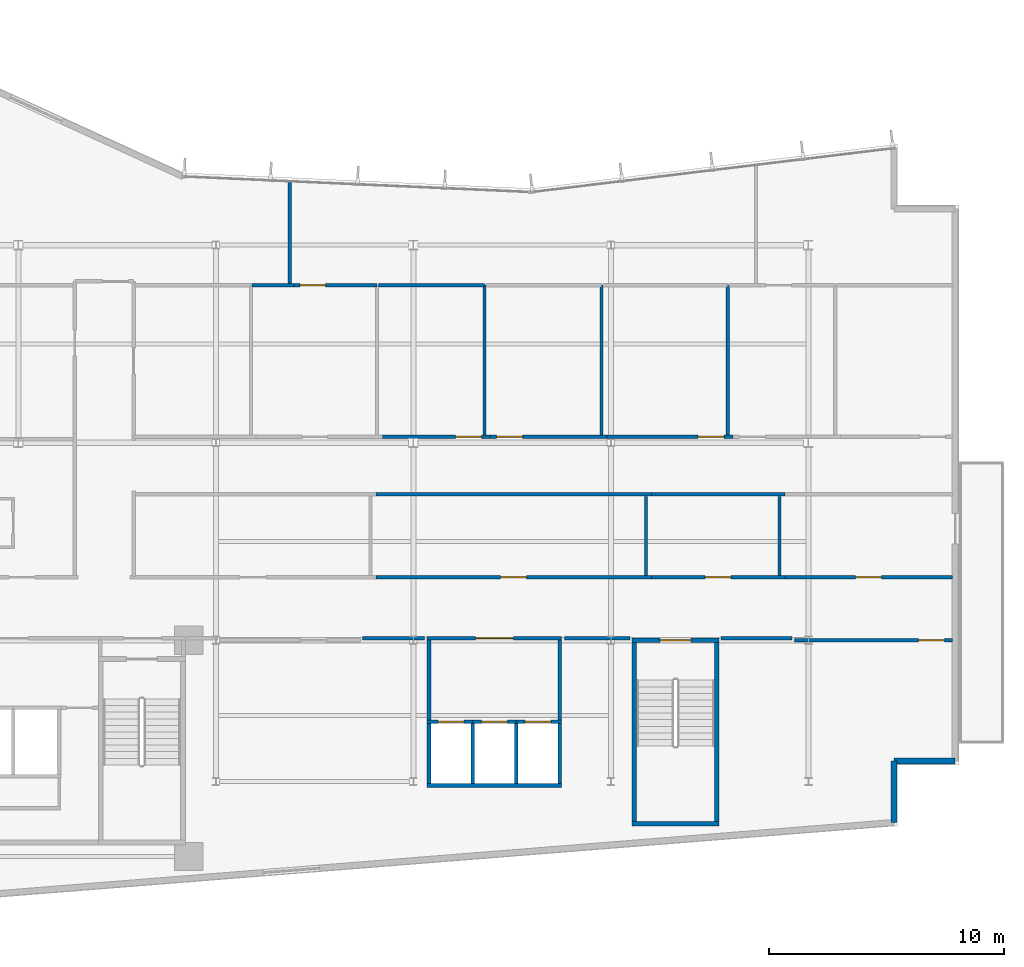
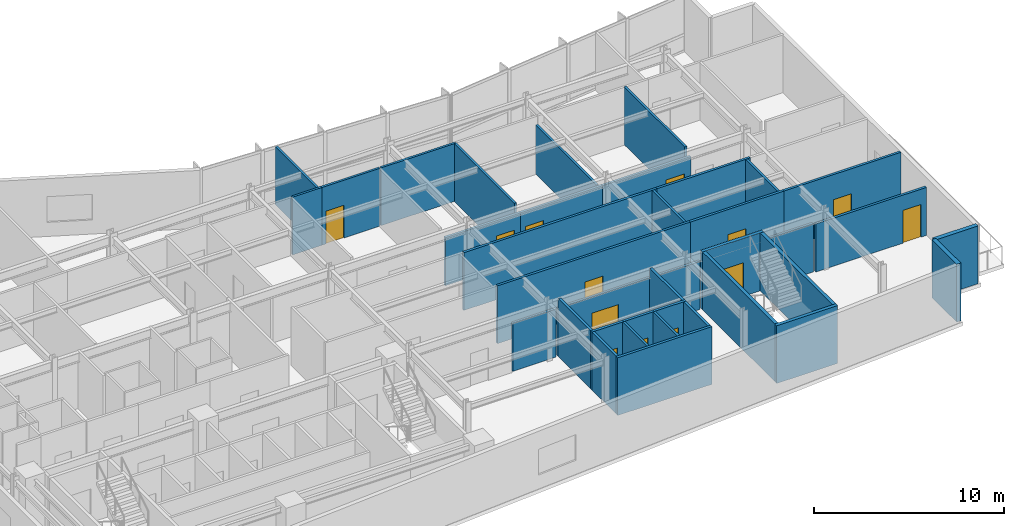
# One storey, part 11 of 17: 38 walls, 13 doors, 13 openings.
"""IFC4 building model written with IfcOpenShell, lengths in metres."""

from ifc_helpers import new_model, si_unit, direction, frame, frame_2d, origin, place, context, subcontext, project, spatial, rectangle, extrude, material, layer, layer_set, type_object, element, fill, save


model = new_model("IFC4")

# Units and contexts
model_context = context("Model", 3, precision=1e-05, world=origin(), true_north=direction((0.0, 1.0)))
body_context = subcontext(model_context, "Body", "Model", "MODEL_VIEW")
ifc_project = project(units=[si_unit("LENGTHUNIT", "METRE"), si_unit("AREAUNIT", "SQUARE_METRE"), si_unit("VOLUMEUNIT", "CUBIC_METRE"), si_unit("PLANEANGLEUNIT", "RADIAN"), si_unit("MASSUNIT", "GRAM", prefix="KILO")], contexts=[model_context])

# Site, building, storey
site_placement = place(None, origin())
site = spatial("IfcSite", under=ifc_project, at=site_placement, CompositionType="ELEMENT")
building_placement = place(site_placement, origin())
building = spatial("IfcBuilding", under=site, at=building_placement, Name="Varnakote Quay Hospital", CompositionType="ELEMENT")
storey_placement = place(building_placement, frame((0.0, 0.0, 111.25)))
storey = spatial("IfcBuildingStorey", under=building, at=storey_placement, Name="L27", CompositionType="ELEMENT", Elevation=111.25)

# Walls
ifc_material_1 = material(Name="Fire-rated acoustic gypsum stud wall", Category="gypsum")
ifc_layer_1 = layer(ifc_material_1, 0.159912109375)
ifc_layer_set_1 = layer_set([ifc_layer_1], Name="Fire-rated acoustic gypsum stud wall")
wall_type_1 = type_object("IfcWallType", Name="WL-COMP-160", PredefinedType="PARTITIONING", material=ifc_layer_set_1)
for number, where, z_axis, x_axis, name in (
    (1, (34.27001953125, 8.610107421875, 0.0), (0.0, 0.0, 1.0), (0.0, 1.0, 0.0), "L27 Mid-Rise Lift Lobby West Wall"),
    (2, (39.830078125, 8.610107421875, 0.0), (0.0, 0.0, 1.0), (0.0, 1.0, 0.0), "L27 Mid-Rise Lift Lobby East Wall"),
):
    element("IfcWall", number, at=place(storey_placement, frame(where, z_axis=z_axis, x_axis=x_axis)), inside=storey, type_object=wall_type_1, Name=name, PredefinedType="PARTITIONING", context=body_context, shape_type="SweptSolid", body=[
        extrude(rectangle(XDim=3.389892578125, YDim=0.159912109375, at=frame_2d((1.69482421875, 0.0))), origin(), (0.0, 0.0, 1.0), 3.7099609375),
    ])

# Wall, opening, door
wall_1_placement = place(storey_placement, frame((34.18994140625, 12.080078125, 0.0), z_axis=(0.0, 0.0, 1.0), x_axis=(1.0, 0.0, 0.0)))
wall_1 = element("IfcWall", 3, at=wall_1_placement, inside=storey, type_object=wall_type_1, Name="L27 Mid-Rise Lift Lobby North Wall", PredefinedType="PARTITIONING", context=body_context, shape_type="SweptSolid", body=[
    extrude(rectangle(XDim=5.719970703125, YDim=0.159912109375, at=frame_2d((2.85986328125, 0.0))), origin(), (0.0, 0.0, 1.0), 3.0830078125),
])
opening_1_placement = place(wall_1_placement, frame((2.06005859375, 0.0, 0.0)))
opening_1 = element("IfcOpeningElement", 4, at=opening_1_placement, cuts=wall_1, Name="Opening D-PML-L27", PredefinedType="OPENING", context=body_context, shape_type="SweptSolid", body=[
    extrude(rectangle(XDim=1.60009765625, YDim=2.050048828125, at=frame_2d((0.800048828125, 1.02490234375))), frame((0.0, 0.08984375, 0.0), z_axis=(0.0, -1.0, 0.0), x_axis=(1.0, 0.0, 0.0)), (0.0, 0.0, 1.0), 0.179931640625),
])
ifc_material_2 = material(Name="Fire-rated double smoke lobby door")
door_type_1 = type_object("IfcDoorType", Name="DR-LOBBY-FD60S-1600x2150", OperationType="NOTDEFINED", PredefinedType="DOOR", material=ifc_material_2)
door_1_placement = place(opening_1_placement, origin())
door_1 = element("IfcDoor", 5, at=door_1_placement, inside=storey, type_object=door_type_1, Name="L27 Mid-Rise Passenger Concourse Vestibule Door", OperationType="DOUBLE_DOOR_SINGLE_SWING", OverallHeight=2.050048828125, OverallWidth=1.60009765625, PredefinedType="DOOR", context=body_context, shape_type="SweptSolid", body=[
    extrude(rectangle(XDim=1.60009765625, YDim=2.050048828125, at=frame_2d((0.800048828125, 1.02490234375))), frame((0.0, 0.02490234375, 0.0), z_axis=(0.0, -1.0, 0.0), x_axis=(1.0, 0.0, 0.0)), (0.0, 0.0, 1.0), 0.050048828125),
])
fill(opening_1, door_1)

# Walls
wall_2_placement = place(storey_placement, frame((31.439208984375, 12.080078125, 0.0), z_axis=(0.0, 0.0, 1.0), x_axis=(1.0, 0.0, 0.0)))
element("IfcWall", 6, at=wall_2_placement, inside=storey, type_object=wall_type_1, Name="L27 Corridor South Gap Wall", PredefinedType="PARTITIONING", context=body_context, shape_type="SweptSolid", body=[
    extrude(rectangle(XDim=2.630859375, YDim=0.159912109375, at=frame_2d((1.3154296875, 0.0))), origin(), (0.0, 0.0, 1.0), 3.0830078125),
])
wall_3_placement = place(storey_placement, frame((40.030029296875, 12.080078125, 0.0), z_axis=(0.0, 0.0, 1.0), x_axis=(1.0, 0.0, 0.0)))
element("IfcWall", 7, at=wall_3_placement, inside=storey, type_object=wall_type_1, Name="L27 Corridor South Gap Wall", PredefinedType="PARTITIONING", context=body_context, shape_type="SweptSolid", body=[
    extrude(rectangle(XDim=2.78076171875, YDim=0.159912109375, at=frame_2d((1.390380859375, 0.0))), origin(), (0.0, 0.0, 1.0), 3.0830078125),
])
wall_4_placement = place(storey_placement, frame((46.689208984375, 12.080078125, 0.0), z_axis=(0.0, 0.0, 1.0), x_axis=(1.0, 0.0, 0.0)))
element("IfcWall", 8, at=wall_4_placement, inside=storey, type_object=wall_type_1, Name="L27 Corridor South Gap Wall", PredefinedType="PARTITIONING", context=body_context, shape_type="SweptSolid", body=[
    extrude(rectangle(XDim=3.0107421875, YDim=0.159912109375, at=frame_2d((1.50537109375, 0.0))), origin(), (0.0, 0.0, 1.0), 3.0830078125),
])
ifc_material_3 = material(Name="Precast concrete N50 (f'c 50 MPa)", Category="concrete")
ifc_layer_2 = layer(ifc_material_3, 0.260009765625)
ifc_layer_set_2 = layer_set([ifc_layer_2], Name="Precast concrete N50 (f'c 50 MPa)")
wall_type_2 = type_object("IfcWallType", Name="WL-EXT-BRICK-260", PredefinedType="STANDARD", material=ifc_layer_set_2)
wall_5_placement = place(storey_placement, frame((54.0400390625, 4.247802734375, 0.0), z_axis=(0.0, 0.0, 1.0), x_axis=(0.0, 1.0, 0.0)))
element("IfcWall", 9, at=wall_5_placement, inside=storey, type_object=wall_type_2, Name="L27 Brick-Faced Precast Exterior Wall", PredefinedType="STANDARD", context=body_context, shape_type="SweptSolid", body=[
    extrude(rectangle(XDim=2.6123046875, YDim=0.260009765625, at=frame_2d((1.30615234375, 0.0))), origin(), (0.0, 0.0, 1.0), 3.7099609375),
])
wall_6_placement = place(storey_placement, frame((54.0400390625, 6.860107421875, 0.0), z_axis=(0.0, 0.0, 1.0), x_axis=(1.0, 0.0, 0.0)))
element("IfcWall", 10, at=wall_6_placement, inside=storey, type_object=wall_type_2, Name="L27 Brick-Faced Precast Exterior Wall", PredefinedType="STANDARD", context=body_context, shape_type="SweptSolid", body=[
    extrude(rectangle(XDim=2.599853515625, YDim=0.260009765625, at=frame_2d((1.2998046875, 0.0))), origin(), (0.0, 0.0, 1.0), 3.7099609375),
])
ifc_material_4 = material(Name="Concrete N50 (f'c 50 MPa)", Category="concrete")
ifc_layer_3 = layer(ifc_material_4, 0.14990234375)
ifc_layer_set_3 = layer_set([ifc_layer_3], Name="Concrete N50 (f'c 50 MPa)")
wall_type_3 = type_object("IfcWallType", Name="WL-SHAFT-N50-150", PredefinedType="SHEAR", material=ifc_layer_set_3)
for number, where, z_axis, x_axis, name in (
    (11, (36.125, 5.89990234375, 0.0), (0.0, 0.0, 1.0), (0.0, 1.0, 0.0), "L27 LF-PM1 Hoistway Divider Wall"),
    (12, (37.97509765625, 5.89990234375, 0.0), (0.0, 0.0, 1.0), (0.0, 1.0, 0.0), "L27 LF-PM2 Hoistway Divider Wall"),
):
    element("IfcWall", number, at=place(storey_placement, frame(where, z_axis=z_axis, x_axis=x_axis)), inside=storey, type_object=wall_type_3, Name=name, PredefinedType="SHEAR", context=body_context, shape_type="SweptSolid", body=[
        extrude(rectangle(XDim=2.550048828125, YDim=0.14990234375, at=frame_2d((1.27490234375, 0.0))), origin(), (0.0, 0.0, 1.0), 3.7099609375),
    ])
ifc_material_5 = material(Name="Concrete N50 (f'c 50 MPa)", Category="concrete")
ifc_layer_4 = layer(ifc_material_5, 0.159912109375)
ifc_layer_set_4 = layer_set([ifc_layer_4], Name="Concrete N50 (f'c 50 MPa)")
wall_type_4 = type_object("IfcWallType", Name="WL-SHAFT-N50-160", PredefinedType="SHEAR", material=ifc_layer_set_4)
wall_7_placement = place(storey_placement, frame((34.18994140625, 5.820068359375, 0.0), z_axis=(0.0, 0.0, 1.0), x_axis=(1.0, 0.0, 0.0)))
element("IfcWall", 13, at=wall_7_placement, inside=storey, type_object=wall_type_4, Name="L27 MID Lift Bank Back Shear Wall", PredefinedType="SHEAR", context=body_context, shape_type="SweptSolid", body=[
    extrude(rectangle(XDim=5.719970703125, YDim=0.159912109375, at=frame_2d((2.85986328125, 0.0))), origin(), (0.0, 0.0, 1.0), 3.7099609375),
])
for number, where, z_axis, x_axis, name in (
    (14, (34.27001953125, 5.89990234375, 0.0), (0.0, 0.0, 1.0), (0.0, 1.0, 0.0), "L27 MID Lift Bank West Shear Wall"),
    (15, (39.830078125, 5.89990234375, 0.0), (0.0, 0.0, 1.0), (0.0, 1.0, 0.0), "L27 MID Lift Bank East Shear Wall"),
):
    element("IfcWall", number, at=place(storey_placement, frame(where, z_axis=z_axis, x_axis=x_axis)), inside=storey, type_object=wall_type_4, Name=name, PredefinedType="SHEAR", context=body_context, shape_type="SweptSolid", body=[
        extrude(rectangle(XDim=2.550048828125, YDim=0.159912109375, at=frame_2d((1.27490234375, 0.0))), origin(), (0.0, 0.0, 1.0), 3.7099609375),
    ])

# Wall, opening, door
wall_8_placement = place(storey_placement, frame((34.18994140625, 8.530029296875, 0.0), z_axis=(0.0, 0.0, 1.0), x_axis=(1.0, 0.0, 0.0)))
wall_8 = element("IfcWall", 16, at=wall_8_placement, inside=storey, type_object=wall_type_4, Name="L27 LF-PM1 Hoistway Front Wall", PredefinedType="SHEAR", context=body_context, shape_type="SweptSolid", body=[
    extrude(rectangle(XDim=1.93505859375, YDim=0.159912109375, at=frame_2d((0.967529296875, 0.0))), origin(), (0.0, 0.0, 1.0), 3.7099609375),
])
opening_2_placement = place(wall_8_placement, frame((0.4599609375, 0.0, 0.0)))
opening_2 = element("IfcOpeningElement", 17, at=opening_2_placement, cuts=wall_8, Name="Opening LD-PM1-L27", PredefinedType="OPENING", context=body_context, shape_type="SweptSolid", body=[
    extrude(rectangle(XDim=1.10009765625, YDim=2.14990234375, at=frame_2d((0.550048828125, 1.074951171875))), frame((0.0, 0.08984375, 0.0), z_axis=(0.0, -1.0, 0.0), x_axis=(1.0, 0.0, 0.0)), (0.0, 0.0, 1.0), 0.179931640625),
])
ifc_material_6 = material(Name="Brushed bronze lift landing sliding door")
door_type_2 = type_object("IfcDoorType", Name="DR-LIFT-LD-1100x2150", OperationType="NOTDEFINED", PredefinedType="DOOR", material=ifc_material_6)
door_2_placement = place(opening_2_placement, origin())
door_2 = element("IfcDoor", 18, at=door_2_placement, inside=storey, type_object=door_type_2, Name="L27 LF-PM1 Lift Landing Sliding Door", OperationType="SLIDING_TO_LEFT", OverallHeight=2.14990234375, OverallWidth=1.10009765625, PredefinedType="DOOR", context=body_context, shape_type="SweptSolid", body=[
    extrude(rectangle(XDim=1.10009765625, YDim=2.14990234375, at=frame_2d((0.550048828125, 1.074951171875))), frame((0.0, 0.02490234375, 0.0), z_axis=(0.0, -1.0, 0.0), x_axis=(1.0, 0.0, 0.0)), (0.0, 0.0, 1.0), 0.050048828125),
])
fill(opening_2, door_2)

wall_9_placement = place(storey_placement, frame((36.125, 8.530029296875, 0.0), z_axis=(0.0, 0.0, 1.0), x_axis=(1.0, 0.0, 0.0)))
wall_9 = element("IfcWall", 19, at=wall_9_placement, inside=storey, type_object=wall_type_4, Name="L27 LF-PM2 Hoistway Front Wall", PredefinedType="SHEAR", context=body_context, shape_type="SweptSolid", body=[
    extrude(rectangle(XDim=1.85009765625, YDim=0.159912109375, at=frame_2d((0.925048828125, 0.0))), origin(), (0.0, 0.0, 1.0), 3.7099609375),
])
opening_3_placement = place(wall_9_placement, frame((0.375, 0.0, 0.0)))
opening_3 = element("IfcOpeningElement", 20, at=opening_3_placement, cuts=wall_9, Name="Opening LD-PM2-L27", PredefinedType="OPENING", context=body_context, shape_type="SweptSolid", body=[
    extrude(rectangle(XDim=1.10009765625, YDim=2.14990234375, at=frame_2d((0.550048828125, 1.074951171875))), frame((0.0, 0.08984375, 0.0), z_axis=(0.0, -1.0, 0.0), x_axis=(1.0, 0.0, 0.0)), (0.0, 0.0, 1.0), 0.179931640625),
])
door_3_placement = place(opening_3_placement, origin())
door_3 = element("IfcDoor", 21, at=door_3_placement, inside=storey, type_object=door_type_2, Name="L27 LF-PM2 Lift Landing Sliding Door", OperationType="SLIDING_TO_LEFT", OverallHeight=2.14990234375, OverallWidth=1.10009765625, PredefinedType="DOOR", context=body_context, shape_type="SweptSolid", body=[
    extrude(rectangle(XDim=1.10009765625, YDim=2.14990234375, at=frame_2d((0.550048828125, 1.074951171875))), frame((0.0, 0.02490234375, 0.0), z_axis=(0.0, -1.0, 0.0), x_axis=(1.0, 0.0, 0.0)), (0.0, 0.0, 1.0), 0.050048828125),
])
fill(opening_3, door_3)

wall_10_placement = place(storey_placement, frame((37.97509765625, 8.530029296875, 0.0), z_axis=(0.0, 0.0, 1.0), x_axis=(1.0, 0.0, 0.0)))
wall_10 = element("IfcWall", 22, at=wall_10_placement, inside=storey, type_object=wall_type_4, Name="L27 LF-PM3 Hoistway Front Wall", PredefinedType="SHEAR", context=body_context, shape_type="SweptSolid", body=[
    extrude(rectangle(XDim=1.934814453125, YDim=0.159912109375, at=frame_2d((0.96728515625, 0.0))), origin(), (0.0, 0.0, 1.0), 3.7099609375),
])
opening_4_placement = place(wall_10_placement, frame((0.375, 0.0, 0.0)))
opening_4 = element("IfcOpeningElement", 23, at=opening_4_placement, cuts=wall_10, Name="Opening LD-PM3-L27", PredefinedType="OPENING", context=body_context, shape_type="SweptSolid", body=[
    extrude(rectangle(XDim=1.10009765625, YDim=2.14990234375, at=frame_2d((0.550048828125, 1.074951171875))), frame((0.0, 0.08984375, 0.0), z_axis=(0.0, -1.0, 0.0), x_axis=(1.0, 0.0, 0.0)), (0.0, 0.0, 1.0), 0.179931640625),
])
door_4_placement = place(opening_4_placement, origin())
door_4 = element("IfcDoor", 24, at=door_4_placement, inside=storey, type_object=door_type_2, Name="L27 LF-PM3 Lift Landing Sliding Door", OperationType="SLIDING_TO_LEFT", OverallHeight=2.14990234375, OverallWidth=1.10009765625, PredefinedType="DOOR", context=body_context, shape_type="SweptSolid", body=[
    extrude(rectangle(XDim=1.10009765625, YDim=2.14990234375, at=frame_2d((0.550048828125, 1.074951171875))), frame((0.0, 0.02490234375, 0.0), z_axis=(0.0, -1.0, 0.0), x_axis=(1.0, 0.0, 0.0)), (0.0, 0.0, 1.0), 0.050048828125),
])
fill(opening_4, door_4)

# Walls
ifc_material_7 = material(Name="Concrete N50 (f'c 50 MPa)", Category="concrete")
ifc_layer_5 = layer(ifc_material_7, 0.199951171875)
ifc_layer_set_5 = layer_set([ifc_layer_5], Name="Concrete N50 (f'c 50 MPa)")
wall_type_5 = type_object("IfcWallType", Name="WL-SHAFT-N50-200", PredefinedType="SHEAR", material=ifc_layer_set_5)
wall_11_placement = place(storey_placement, frame((42.89990234375, 4.199951171875, 0.0), z_axis=(0.0, 0.0, 1.0), x_axis=(1.0, 0.0, 0.0)))
element("IfcWall", 25, at=wall_11_placement, inside=storey, type_object=wall_type_5, Name="L27 Stair ST3 South Shaft Wall", PredefinedType="SHEAR", context=body_context, shape_type="SweptSolid", body=[
    extrude(rectangle(XDim=3.7001953125, YDim=0.199951171875, at=frame_2d((1.85009765625, 0.0))), origin(), (0.0, 0.0, 1.0), 3.7099609375),
])
for number, where, z_axis, x_axis, name in (
    (26, (43.0, 4.300048828125, 0.0), (0.0, 0.0, 1.0), (0.0, 1.0, 0.0), "L27 Stair ST3 West Shaft Wall"),
    (27, (46.5, 4.300048828125, 0.0), (0.0, 0.0, 1.0), (0.0, 1.0, 0.0), "L27 Stair ST3 East Shaft Wall"),
):
    element("IfcWall", number, at=place(storey_placement, frame(where, z_axis=z_axis, x_axis=x_axis)), inside=storey, type_object=wall_type_5, Name=name, PredefinedType="SHEAR", context=body_context, shape_type="SweptSolid", body=[
        extrude(rectangle(XDim=7.599853515625, YDim=0.199951171875, at=frame_2d((3.7998046875, 0.0))), origin(), (0.0, 0.0, 1.0), 3.7099609375),
    ])

# Wall, opening, door
wall_12_placement = place(storey_placement, frame((42.89990234375, 12.0, 0.0), z_axis=(0.0, 0.0, 1.0), x_axis=(1.0, 0.0, 0.0)))
wall_12 = element("IfcWall", 28, at=wall_12_placement, inside=storey, type_object=wall_type_5, Name="L27 Stair ST3 Exit Wall", PredefinedType="SHEAR", context=body_context, shape_type="SweptSolid", body=[
    extrude(rectangle(XDim=3.7001953125, YDim=0.199951171875, at=frame_2d((1.85009765625, 0.0))), origin(), (0.0, 0.0, 1.0), 3.7099609375),
])
opening_5_placement = place(wall_12_placement, frame((1.199951171875, 0.0, 0.0)))
opening_5 = element("IfcOpeningElement", 29, at=opening_5_placement, cuts=wall_12, Name="Opening D-ST3-L27", PredefinedType="OPENING", context=body_context, shape_type="SweptSolid", body=[
    extrude(rectangle(XDim=1.300048828125, YDim=2.14990234375, at=frame_2d((0.64990234375, 1.074951171875))), frame((0.0, 0.10986328125, 0.0), z_axis=(0.0, -1.0, 0.0), x_axis=(1.0, 0.0, 0.0)), (0.0, 0.0, 1.0), 0.219970703125),
])
ifc_material_8 = material(Name="Fire-rated ceramic-glazed timber exit door", Category="wood")
door_type_3 = type_object("IfcDoorType", Name="DR-STAIR-FD60S-1300x2150", OperationType="NOTDEFINED", PredefinedType="DOOR", material=ifc_material_8)
door_5_placement = place(opening_5_placement, origin())
door_5 = element("IfcDoor", 30, at=door_5_placement, inside=storey, type_object=door_type_3, Name="L27 Stair ST3 Fire Exit Door", OperationType="SINGLE_SWING_RIGHT", OverallHeight=2.14990234375, OverallWidth=1.300048828125, PredefinedType="DOOR", context=body_context, shape_type="SweptSolid", body=[
    extrude(rectangle(XDim=1.300048828125, YDim=2.14990234375, at=frame_2d((0.64990234375, 1.074951171875))), frame((0.0, 0.02490234375, 0.0), z_axis=(0.0, -1.0, 0.0), x_axis=(1.0, 0.0, 0.0)), (0.0, 0.0, 1.0), 0.050048828125),
])
fill(opening_5, door_5)

# Walls
ifc_material_9 = material(Name="Smoke-proof clinical partition", Category="gypsum")
ifc_layer_6 = layer(ifc_material_9, 0.135009765625)
ifc_layer_set_6 = layer_set([ifc_layer_6], Name="Smoke-proof clinical partition")
wall_type_6 = type_object("IfcWallType", Name="WL-SMOKE-135", PredefinedType="PARTITIONING", material=ifc_layer_set_6)
for number, where, z_axis, x_axis, name in (
    (31, (43.5, 14.760009765625, 0.0), (0.0, 0.0, 1.0), (0.0, 1.0, 0.0), "L27 Clinical Interior Partition"),
    (32, (49.169921875, 14.760009765625, 0.0), (0.0, 0.0, 1.0), (0.0, 1.0, 0.0), "L27 Clinical Interior Partition"),
):
    element("IfcWall", number, at=place(storey_placement, frame(where, z_axis=z_axis, x_axis=x_axis)), inside=storey, type_object=wall_type_6, Name=name, PredefinedType="PARTITIONING", context=body_context, shape_type="SweptSolid", body=[
        extrude(rectangle(XDim=3.360107421875, YDim=0.135009765625, at=frame_2d((1.68017578125, 0.0))), origin(), (0.0, 0.0, 1.0), 3.7099609375),
    ])
wall_13_placement = place(storey_placement, frame((28.5185546875, 27.10009765625, 0.0), z_axis=(0.0, 0.0, 1.0), x_axis=(-1.0, 0.0, 0.0)))
element("IfcWall", 33, at=wall_13_placement, inside=storey, type_object=wall_type_6, Name="L27 Clinical Interior Partition", PredefinedType="PARTITIONING", context=body_context, shape_type="SweptSolid", body=[
    extrude(rectangle(XDim=1.77099609375, YDim=0.135009765625, at=frame_2d((0.885498046875, 0.0))), origin(), (0.0, 0.0, 1.0), 3.7099609375),
])

# Wall, opening, door
wall_14_placement = place(storey_placement, frame((32.06005859375, 27.10009765625, 0.0), z_axis=(0.0, 0.0, 1.0), x_axis=(-1.0, 0.0, 0.0)))
wall_14 = element("IfcWall", 34, at=wall_14_placement, inside=storey, type_object=wall_type_6, Name="L27 Clinical Interior Partition", PredefinedType="PARTITIONING", context=body_context, shape_type="SweptSolid", body=[
    extrude(rectangle(XDim=3.53955078125, YDim=0.135009765625, at=frame_2d((1.769775390625, 0.0))), origin(), (0.0, 0.0, 1.0), 3.7099609375),
])
opening_6_placement = place(wall_14_placement, frame((2.1884765625, 0.0, 0.0)))
opening_6 = element("IfcOpeningElement", 35, at=opening_6_placement, cuts=wall_14, Name="Opening D-L27-MD17", PredefinedType="OPENING", context=body_context, shape_type="SweptSolid", body=[
    extrude(rectangle(XDim=1.10009765625, YDim=2.10009765625, at=frame_2d((0.550048828125, 1.050048828125))), frame((0.0, 0.077392578125, 0.0), z_axis=(0.0, -1.0, 0.0), x_axis=(1.0, 0.0, 0.0)), (0.0, 0.0, 1.0), 0.155029296875),
])
ifc_material_10 = material(Name="Acoustic timber clinical consult door", Category="wood")
door_type_4 = type_object("IfcDoorType", Name="DR-CLIN-FD30S-1100x2100", OperationType="NOTDEFINED", PredefinedType="DOOR", material=ifc_material_10)
door_6_placement = place(opening_6_placement, origin())
door_6 = element("IfcDoor", 36, at=door_6_placement, inside=storey, type_object=door_type_4, Name="L27 Paediatric Clinical Teaching Room Door", OperationType="SINGLE_SWING_LEFT", OverallHeight=2.10009765625, OverallWidth=1.10009765625, PredefinedType="DOOR", context=body_context, shape_type="SweptSolid", body=[
    extrude(rectangle(XDim=1.10009765625, YDim=2.10009765625, at=frame_2d((0.550048828125, 1.050048828125))), frame((0.0, 0.02490234375, 0.0), z_axis=(0.0, -1.0, 0.0), x_axis=(1.0, 0.0, 0.0)), (0.0, 0.0, 1.0), 0.050048828125),
])
fill(opening_6, door_6)

# Walls
wall_15_placement = place(storey_placement, frame((36.6298828125, 20.715087890625, 0.0), z_axis=(0.0, 0.0, 1.0), x_axis=(0.0, 1.0, 0.0)))
element("IfcWall", 37, at=wall_15_placement, inside=storey, type_object=wall_type_6, Name="L27 Clinical Interior Partition", PredefinedType="PARTITIONING", context=body_context, shape_type="SweptSolid", body=[
    extrude(rectangle(XDim=6.385009765625, YDim=0.135009765625, at=frame_2d((3.1923828125, 0.0))), origin(), (0.0, 0.0, 1.0), 3.7099609375),
])
wall_16_placement = place(storey_placement, frame((36.6298828125, 27.10009765625, 0.0), z_axis=(0.0, 0.0, 1.0), x_axis=(-1.0, 0.0, 0.0)))
element("IfcWall", 38, at=wall_16_placement, inside=storey, type_object=wall_type_6, Name="L27 Clinical Interior Partition", PredefinedType="PARTITIONING", context=body_context, shape_type="SweptSolid", body=[
    extrude(rectangle(XDim=4.512451171875, YDim=0.135009765625, at=frame_2d((2.25634765625, 0.0))), origin(), (0.0, 0.0, 1.0), 3.7099609375),
])
wall_17_placement = place(storey_placement, frame((41.60009765625, 20.715087890625, 0.0), z_axis=(0.0, 0.0, 1.0), x_axis=(0.0, 1.0, 0.0)))
element("IfcWall", 39, at=wall_17_placement, inside=storey, type_object=wall_type_6, Name="L27 Clinical Interior Partition", PredefinedType="PARTITIONING", context=body_context, shape_type="SweptSolid", body=[
    extrude(rectangle(XDim=6.385009765625, YDim=0.135009765625, at=frame_2d((3.1923828125, 0.0))), origin(), (0.0, 0.0, 1.0), 3.152099609375),
])
wall_18_placement = place(storey_placement, frame((46.969970703125, 20.715087890625, 0.0), z_axis=(0.0, 0.0, 1.0), x_axis=(0.0, 1.0, 0.0)))
element("IfcWall", 40, at=wall_18_placement, inside=storey, type_object=wall_type_6, Name="L27 Clinical Interior Partition", PredefinedType="PARTITIONING", context=body_context, shape_type="SweptSolid", body=[
    extrude(rectangle(XDim=6.385009765625, YDim=0.135009765625, at=frame_2d((3.1923828125, 0.0))), origin(), (0.0, 0.0, 1.0), 3.7099609375),
])
wall_19_placement = place(storey_placement, frame((28.340087890625, 27.157470703125, 0.0), z_axis=(0.0, 0.0, 1.0), x_axis=(0.0, 1.0, 0.0)))
element("IfcWall", 41, at=wall_19_placement, inside=storey, type_object=wall_type_6, Name="L27 Clinical Interior Partition", PredefinedType="PARTITIONING", context=body_context, shape_type="SweptSolid", body=[
    extrude(rectangle(XDim=4.355224609375, YDim=0.135009765625, at=frame_2d((2.177734375, 0.0))), origin(), (0.0, 0.0, 1.0), 3.7099609375),
])

# Wall, opening, door
ifc_material_11 = material(Name="Fire-rated clinical gypsum partition", Category="gypsum")
ifc_layer_7 = layer(ifc_material_11, 0.14990234375)
ifc_layer_set_7 = layer_set([ifc_layer_7], Name="Fire-rated clinical gypsum partition")
wall_type_7 = type_object("IfcWallType", Name="WL-WARD-150", PredefinedType="PARTITIONING", material=ifc_layer_set_7)
wall_20_placement = place(storey_placement, frame((56.52001953125, 12.0, 0.0), z_axis=(0.0, 0.0, 1.0), x_axis=(-1.0, 0.0, 0.0)))
wall_20 = element("IfcWall", 42, at=wall_20_placement, inside=storey, type_object=wall_type_7, Name="L27 Clinical Interior Partition", PredefinedType="PARTITIONING", context=body_context, shape_type="SweptSolid", body=[
    extrude(rectangle(XDim=6.719970703125, YDim=0.14990234375, at=frame_2d((3.35986328125, 0.0))), origin(), (0.0, 0.0, 1.0), 3.0830078125),
])
opening_7_placement = place(wall_20_placement, frame((0.33056640625, 0.0, 0.0)))
opening_7 = element("IfcOpeningElement", 43, at=opening_7_placement, cuts=wall_20, Name="Opening D-L27-SE1", PredefinedType="OPENING", context=body_context, shape_type="SweptSolid", body=[
    extrude(rectangle(XDim=1.10009765625, YDim=2.10009765625, at=frame_2d((0.550048828125, 1.050048828125))), frame((0.0, 0.0849609375, 0.0), z_axis=(0.0, -1.0, 0.0), x_axis=(1.0, 0.0, 0.0)), (0.0, 0.0, 1.0), 0.169921875),
])
door_7_placement = place(opening_7_placement, origin())
door_7 = element("IfcDoor", 44, at=door_7_placement, inside=storey, type_object=door_type_4, Name="L27 Clinical Biomedical Engineering Office Door", OperationType="SINGLE_SWING_RIGHT", OverallHeight=2.10009765625, OverallWidth=1.10009765625, PredefinedType="DOOR", context=body_context, shape_type="SweptSolid", body=[
    extrude(rectangle(XDim=1.10009765625, YDim=2.10009765625, at=frame_2d((0.550048828125, 1.050048828125))), frame((0.0, 0.02490234375, 0.0), z_axis=(0.0, -1.0, 0.0), x_axis=(1.0, 0.0, 0.0)), (0.0, 0.0, 1.0), 0.050048828125),
])
fill(opening_7, door_7)

wall_21_placement = place(storey_placement, frame((43.72607421875, 14.679931640625, 0.0), z_axis=(0.0, 0.0, 1.0), x_axis=(-1.0, 0.0, 0.0)))
wall_21 = element("IfcWall", 45, at=wall_21_placement, inside=storey, type_object=wall_type_7, Name="L27 Clinical Interior Partition", PredefinedType="PARTITIONING", context=body_context, shape_type="SweptSolid", body=[
    extrude(rectangle(XDim=11.718017578125, YDim=0.14990234375, at=frame_2d((5.85888671875, 0.0))), origin(), (0.0, 0.0, 1.0), 3.7099609375),
])
opening_8_placement = place(wall_21_placement, frame((5.30908203125, 0.0, 0.0)))
opening_8 = element("IfcOpeningElement", 46, at=opening_8_placement, cuts=wall_21, Name="Opening D-L27-MD03", PredefinedType="OPENING", context=body_context, shape_type="SweptSolid", body=[
    extrude(rectangle(XDim=1.10009765625, YDim=2.10009765625, at=frame_2d((0.550048828125, 1.050048828125))), frame((0.0, 0.0849609375, 0.0), z_axis=(0.0, -1.0, 0.0), x_axis=(1.0, 0.0, 0.0)), (0.0, 0.0, 1.0), 0.169921875),
])
door_8_placement = place(opening_8_placement, origin())
door_8 = element("IfcDoor", 47, at=door_8_placement, inside=storey, type_object=door_type_4, Name="L27 Perinatal Clinical Consultation Suite Door", OperationType="SINGLE_SWING_RIGHT", OverallHeight=2.10009765625, OverallWidth=1.10009765625, PredefinedType="DOOR", context=body_context, shape_type="SweptSolid", body=[
    extrude(rectangle(XDim=1.10009765625, YDim=2.10009765625, at=frame_2d((0.550048828125, 1.050048828125))), frame((0.0, 0.02490234375, 0.0), z_axis=(0.0, -1.0, 0.0), x_axis=(1.0, 0.0, 0.0)), (0.0, 0.0, 1.0), 0.050048828125),
])
fill(opening_8, door_8)

wall_22_placement = place(storey_placement, frame((49.39599609375, 14.679931640625, 0.0), z_axis=(0.0, 0.0, 1.0), x_axis=(-1.0, 0.0, 0.0)))
wall_22 = element("IfcWall", 48, at=wall_22_placement, inside=storey, type_object=wall_type_7, Name="L27 Clinical Interior Partition", PredefinedType="PARTITIONING", context=body_context, shape_type="SweptSolid", body=[
    extrude(rectangle(XDim=5.66796875, YDim=0.14990234375, at=frame_2d((2.833984375, 0.0))), origin(), (0.0, 0.0, 1.0), 3.7099609375),
])
opening_9_placement = place(wall_22_placement, frame((2.283935546875, 0.0, 0.0)))
opening_9 = element("IfcOpeningElement", 49, at=opening_9_placement, cuts=wall_22, Name="Opening D-L27-MD04", PredefinedType="OPENING", context=body_context, shape_type="SweptSolid", body=[
    extrude(rectangle(XDim=1.10009765625, YDim=2.10009765625, at=frame_2d((0.550048828125, 1.050048828125))), frame((0.0, 0.0849609375, 0.0), z_axis=(0.0, -1.0, 0.0), x_axis=(1.0, 0.0, 0.0)), (0.0, 0.0, 1.0), 0.169921875),
])
door_9_placement = place(opening_9_placement, origin())
door_9 = element("IfcDoor", 50, at=door_9_placement, inside=storey, type_object=door_type_4, Name="L27 Midwifery Coordination Office Door", OperationType="SINGLE_SWING_LEFT", OverallHeight=2.10009765625, OverallWidth=1.10009765625, PredefinedType="DOOR", context=body_context, shape_type="SweptSolid", body=[
    extrude(rectangle(XDim=1.10009765625, YDim=2.10009765625, at=frame_2d((0.550048828125, 1.050048828125))), frame((0.0, 0.02490234375, 0.0), z_axis=(0.0, -1.0, 0.0), x_axis=(1.0, 0.0, 0.0)), (0.0, 0.0, 1.0), 0.050048828125),
])
fill(opening_9, door_9)

wall_23_placement = place(storey_placement, frame((56.52001953125, 14.679931640625, 0.0), z_axis=(0.0, 0.0, 1.0), x_axis=(-1.0, 0.0, 0.0)))
wall_23 = element("IfcWall", 51, at=wall_23_placement, inside=storey, type_object=wall_type_7, Name="L27 Clinical Interior Partition", PredefinedType="PARTITIONING", context=body_context, shape_type="SweptSolid", body=[
    extrude(rectangle(XDim=7.1220703125, YDim=0.14990234375, at=frame_2d((3.56103515625, 0.0))), origin(), (0.0, 0.0, 1.0), 3.7099609375),
])
opening_10_placement = place(wall_23_placement, frame((3.010986328125, 0.0, 0.0)))
opening_10 = element("IfcOpeningElement", 52, at=opening_10_placement, cuts=wall_23, Name="Opening D-L27-DLNG", PredefinedType="OPENING", context=body_context, shape_type="SweptSolid", body=[
    extrude(rectangle(XDim=1.10009765625, YDim=2.10009765625, at=frame_2d((0.550048828125, 1.050048828125))), frame((0.0, 0.0849609375, 0.0), z_axis=(0.0, -1.0, 0.0), x_axis=(1.0, 0.0, 0.0)), (0.0, 0.0, 1.0), 0.169921875),
])
door_10_placement = place(opening_10_placement, origin())
door_10 = element("IfcDoor", 53, at=door_10_placement, inside=storey, type_object=door_type_4, Name="L27 Waterfront Patient & Family Dayroom Door", OperationType="SINGLE_SWING_RIGHT", OverallHeight=2.10009765625, OverallWidth=1.10009765625, PredefinedType="DOOR", context=body_context, shape_type="SweptSolid", body=[
    extrude(rectangle(XDim=1.10009765625, YDim=2.10009765625, at=frame_2d((0.550048828125, 1.050048828125))), frame((0.0, 0.02490234375, 0.0), z_axis=(0.0, -1.0, 0.0), x_axis=(1.0, 0.0, 0.0)), (0.0, 0.0, 1.0), 0.050048828125),
])
fill(opening_10, door_10)

# Walls
wall_24_placement = place(storey_placement, frame((32.008056640625, 18.199951171875, 0.0), z_axis=(0.0, 0.0, 1.0), x_axis=(1.0, 0.0, 0.0)))
element("IfcWall", 54, at=wall_24_placement, inside=storey, type_object=wall_type_7, Name="L27 Clinical Interior Partition", PredefinedType="PARTITIONING", context=body_context, shape_type="SweptSolid", body=[
    extrude(rectangle(XDim=11.718017578125, YDim=0.14990234375, at=frame_2d((5.85888671875, 0.0))), origin(), (0.0, 0.0, 1.0), 3.7099609375),
])
wall_25_placement = place(storey_placement, frame((43.72802734375, 18.199951171875, 0.0), z_axis=(0.0, 0.0, 1.0), x_axis=(1.0, 0.0, 0.0)))
element("IfcWall", 55, at=wall_25_placement, inside=storey, type_object=wall_type_7, Name="L27 Clinical Interior Partition", PredefinedType="PARTITIONING", context=body_context, shape_type="SweptSolid", body=[
    extrude(rectangle(XDim=5.66796875, YDim=0.14990234375, at=frame_2d((2.833984375, 0.0))), origin(), (0.0, 0.0, 1.0), 3.7099609375),
])

# Wall, opening, door
wall_26_placement = place(storey_placement, frame((36.85595703125, 20.64990234375, 0.0), z_axis=(0.0, 0.0, 1.0), x_axis=(-1.0, 0.0, 0.0)))
wall_26 = element("IfcWall", 56, at=wall_26_placement, inside=storey, type_object=wall_type_7, Name="L27 Clinical Interior Partition", PredefinedType="PARTITIONING", context=body_context, shape_type="SweptSolid", body=[
    extrude(rectangle(XDim=4.56787109375, YDim=0.14990234375, at=frame_2d((2.283935546875, 0.0))), origin(), (0.0, 0.0, 1.0), 3.0830078125),
])
opening_11_placement = place(wall_26_placement, frame((0.353515625, 0.0, 0.0)))
opening_11 = element("IfcOpeningElement", 57, at=opening_11_placement, cuts=wall_26, Name="Opening D-L27-MD10", PredefinedType="OPENING", context=body_context, shape_type="SweptSolid", body=[
    extrude(rectangle(XDim=1.10009765625, YDim=2.10009765625, at=frame_2d((0.550048828125, 1.050048828125))), frame((0.0, 0.0849609375, 0.0), z_axis=(0.0, -1.0, 0.0), x_axis=(1.0, 0.0, 0.0)), (0.0, 0.0, 1.0), 0.169921875),
])
door_11_placement = place(opening_11_placement, origin())
door_11 = element("IfcDoor", 58, at=door_11_placement, inside=storey, type_object=door_type_4, Name="L27 Maternity Assessment Treatment Suite Door", OperationType="SINGLE_SWING_LEFT", OverallHeight=2.10009765625, OverallWidth=1.10009765625, PredefinedType="DOOR", context=body_context, shape_type="SweptSolid", body=[
    extrude(rectangle(XDim=1.10009765625, YDim=2.10009765625, at=frame_2d((0.550048828125, 1.050048828125))), frame((0.0, 0.02490234375, 0.0), z_axis=(0.0, -1.0, 0.0), x_axis=(1.0, 0.0, 0.0)), (0.0, 0.0, 1.0), 0.050048828125),
])
fill(opening_11, door_11)

wall_27_placement = place(storey_placement, frame((41.825927734375, 20.64990234375, 0.0), z_axis=(0.0, 0.0, 1.0), x_axis=(-1.0, 0.0, 0.0)))
wall_27 = element("IfcWall", 59, at=wall_27_placement, inside=storey, type_object=wall_type_7, Name="L27 Clinical Interior Partition", PredefinedType="PARTITIONING", context=body_context, shape_type="SweptSolid", body=[
    extrude(rectangle(XDim=4.968017578125, YDim=0.14990234375, at=frame_2d((2.48388671875, 0.0))), origin(), (0.0, 0.0, 1.0), 3.0830078125),
])
opening_12_placement = place(wall_27_placement, frame((3.581298828125, 0.0, 0.0)))
opening_12 = element("IfcOpeningElement", 60, at=opening_12_placement, cuts=wall_27, Name="Opening D-L27-MD11", PredefinedType="OPENING", context=body_context, shape_type="SweptSolid", body=[
    extrude(rectangle(XDim=1.10009765625, YDim=2.10009765625, at=frame_2d((0.550048828125, 1.050048828125))), frame((0.0, 0.0849609375, 0.0), z_axis=(0.0, -1.0, 0.0), x_axis=(1.0, 0.0, 0.0)), (0.0, 0.0, 1.0), 0.169921875),
])
door_12_placement = place(opening_12_placement, origin())
door_12 = element("IfcDoor", 61, at=door_12_placement, inside=storey, type_object=door_type_4, Name="L27 Perinatal Clinical Consultation Suite Door", OperationType="SINGLE_SWING_RIGHT", OverallHeight=2.10009765625, OverallWidth=1.10009765625, PredefinedType="DOOR", context=body_context, shape_type="SweptSolid", body=[
    extrude(rectangle(XDim=1.10009765625, YDim=2.10009765625, at=frame_2d((0.550048828125, 1.050048828125))), frame((0.0, 0.02490234375, 0.0), z_axis=(0.0, -1.0, 0.0), x_axis=(1.0, 0.0, 0.0)), (0.0, 0.0, 1.0), 0.050048828125),
])
fill(opening_12, door_12)

wall_28_placement = place(storey_placement, frame((47.196044921875, 20.64990234375, 0.0), z_axis=(0.0, 0.0, 1.0), x_axis=(-1.0, 0.0, 0.0)))
wall_28 = element("IfcWall", 62, at=wall_28_placement, inside=storey, type_object=wall_type_7, Name="L27 Clinical Interior Partition", PredefinedType="PARTITIONING", context=body_context, shape_type="SweptSolid", body=[
    extrude(rectangle(XDim=5.3681640625, YDim=0.14990234375, at=frame_2d((2.68408203125, 0.0))), origin(), (0.0, 0.0, 1.0), 3.0830078125),
])
opening_13_placement = place(wall_28_placement, frame((0.393310546875, 0.0, 0.0)))
opening_13 = element("IfcOpeningElement", 63, at=opening_13_placement, cuts=wall_28, Name="Opening D-L27-MD12", PredefinedType="OPENING", context=body_context, shape_type="SweptSolid", body=[
    extrude(rectangle(XDim=1.10009765625, YDim=2.10009765625, at=frame_2d((0.550048828125, 1.050048828125))), frame((0.0, 0.0849609375, 0.0), z_axis=(0.0, -1.0, 0.0), x_axis=(1.0, 0.0, 0.0)), (0.0, 0.0, 1.0), 0.169921875),
])
door_13_placement = place(opening_13_placement, origin())
door_13 = element("IfcDoor", 64, at=door_13_placement, inside=storey, type_object=door_type_4, Name="L27 Midwifery Coordination Office Door", OperationType="SINGLE_SWING_LEFT", OverallHeight=2.10009765625, OverallWidth=1.10009765625, PredefinedType="DOOR", context=body_context, shape_type="SweptSolid", body=[
    extrude(rectangle(XDim=1.10009765625, YDim=2.10009765625, at=frame_2d((0.550048828125, 1.050048828125))), frame((0.0, 0.02490234375, 0.0), z_axis=(0.0, -1.0, 0.0), x_axis=(1.0, 0.0, 0.0)), (0.0, 0.0, 1.0), 0.050048828125),
])
fill(opening_13, door_13)

save(model, "model.ifc")
